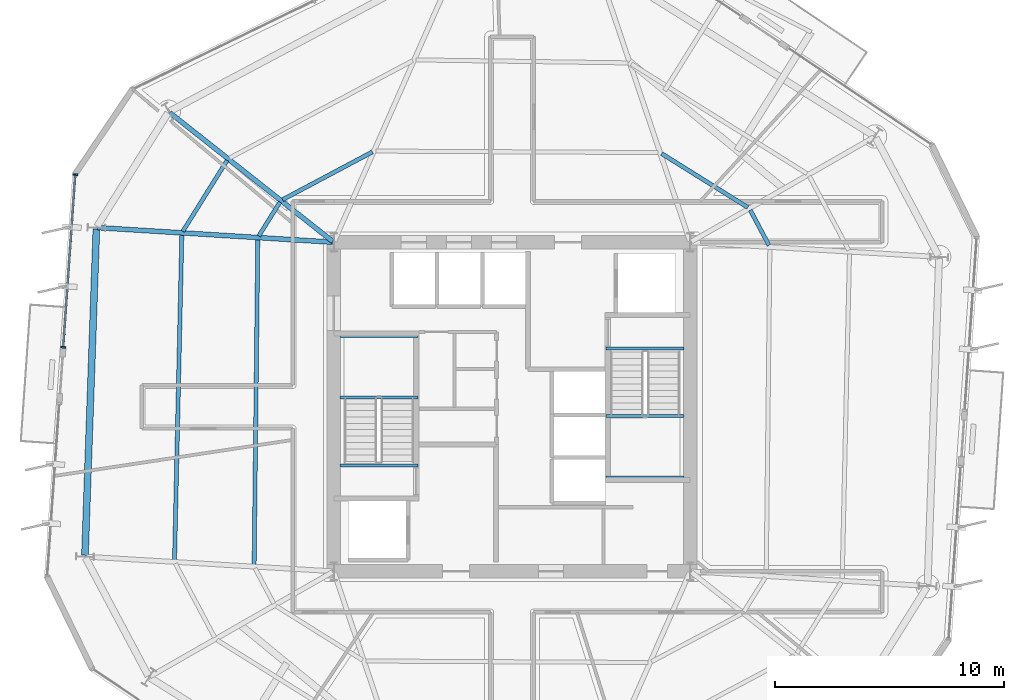
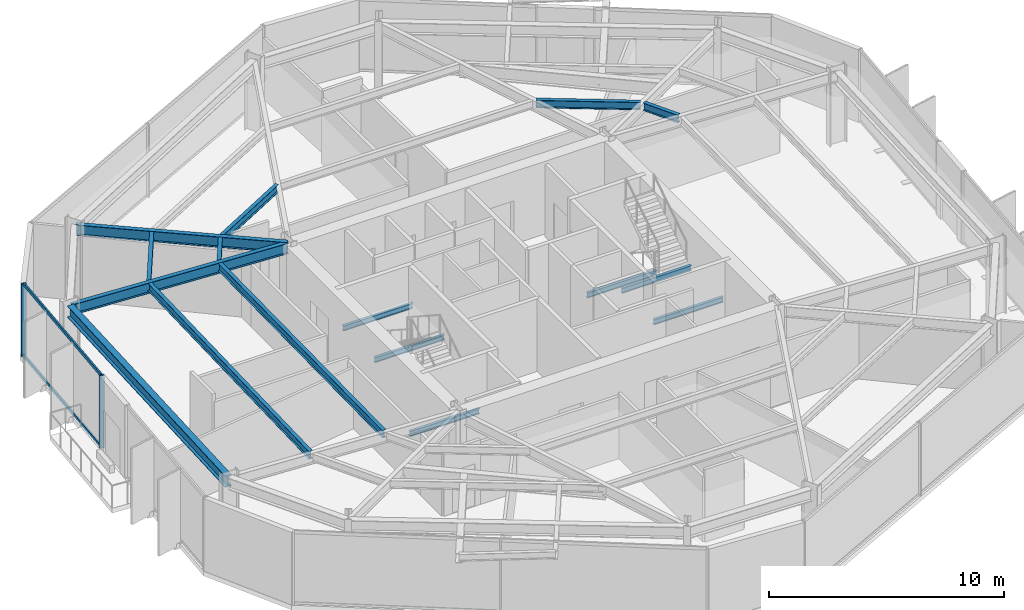
# One storey, part 3 of 14: 16 beams, 4 members, 1 element without a shape of its own.
"""IFC4 building model written with IfcOpenShell, lengths in metres."""

from ifc_helpers import new_model, si_unit, direction, frame, origin, origin_2d, place, context, subcontext, project, spatial, rectangle, i_section, extrude, material, layer, layer_set, material_profile, profile_set, type_object, element, aggregate, save


model = new_model("IFC4")

# Units and contexts
model_context = context("Model", 3, precision=1e-05, world=origin(), true_north=direction((0.0, 1.0)))
body_context = subcontext(model_context, "Body", "Model", "MODEL_VIEW")
ifc_project = project(units=[si_unit("LENGTHUNIT", "METRE"), si_unit("AREAUNIT", "SQUARE_METRE"), si_unit("VOLUMEUNIT", "CUBIC_METRE"), si_unit("PLANEANGLEUNIT", "RADIAN"), si_unit("MASSUNIT", "GRAM", prefix="KILO")], contexts=[model_context])

# Site, building, storey
site_placement = place(None, origin())
site = spatial("IfcSite", under=ifc_project, at=site_placement, CompositionType="ELEMENT")
building_placement = place(site_placement, origin())
building = spatial("IfcBuilding", under=site, at=building_placement, Name="Kranzbogen Civic Tower", CompositionType="ELEMENT")
storey_placement = place(building_placement, frame((0.0, 0.0, 126.39990234375)))
storey = spatial("IfcBuildingStorey", under=building, at=storey_placement, Name="L30", CompositionType="ELEMENT", Elevation=126.39990234375)

# Curtain wall, members
ifc_material_1 = material(Name="Pale Anodised Aluminium", Category="aluminium")
ifc_layer = layer(ifc_material_1, 0.219970703125, Name="Pale Anodised Aluminium")
ifc_layer_set = layer_set([ifc_layer], Name="Pale Anodised Aluminium")
curtain_wall_type = type_object("IfcCurtainWallType", Name="Zone 2 Stick Curtain Wall System CW-03", PredefinedType="USERDEFINED", material=ifc_layer_set)
curtain_wall_placement = place(storey_placement, origin())
curtain_wall = element("IfcCurtainWall", 1, at=curtain_wall_placement, inside=storey, type_object=curtain_wall_type, Name="L30 curtain wall CW-L30-F3-S1", ObjectType="STICK CURTAIN WALL", PredefinedType="USERDEFINED")
ifc_material_profile_1 = material_profile(ifc_material_1, rectangle(XDim=0.074951171875, YDim=0.219970703125, at=origin_2d()), Name="ALU-M 75x220")
ifc_profile_set_1 = profile_set([ifc_material_profile_1], Name="Pale Anodised Aluminium")
member_type_1 = type_object("IfcMemberType", Name="Curtain Wall Mullion ALU-M 75x220", PredefinedType="MULLION", material=ifc_profile_set_1)
member_1_placement = place(storey_placement, frame((5.890869140625, 35.162109375, 0.0), z_axis=(0.0, 0.0, 1.0), x_axis=(-0.069813486474, -0.997560061904, 0.0)))
member_1 = element("IfcMember", 2, at=member_1_placement, type_object=member_type_1, Name="CW-03 mullion 1", PredefinedType="MULLION", context=body_context, shape_type="SweptSolid", body=[
    extrude(rectangle(XDim=0.074951171875, YDim=0.219970703125, at=origin_2d()), origin(), (0.0, 0.0, 1.0), 3.760009765625),
])
member_2_placement = place(storey_placement, frame((5.362060546875, 27.60595703125, 0.0), z_axis=(0.0, 0.0, 1.0), x_axis=(-0.069813486474, -0.997560061904, 0.0)))
member_2 = element("IfcMember", 3, at=member_2_placement, type_object=member_type_1, Name="CW-03 mullion 2", PredefinedType="MULLION", context=body_context, shape_type="SweptSolid", body=[
    extrude(rectangle(XDim=0.074951171875, YDim=0.219970703125, at=origin_2d()), origin(), (0.0, 0.0, 1.0), 3.760009765625),
])
ifc_material_profile_2 = material_profile(ifc_material_1, rectangle(XDim=0.074951171875, YDim=0.1650390625, at=origin_2d()), Name="ALU-T 75x165")
ifc_profile_set_2 = profile_set([ifc_material_profile_2], Name="Pale Anodised Aluminium")
member_type_2 = type_object("IfcMemberType", Name="Curtain Wall Transom ALU-T 75x165", PredefinedType="USERDEFINED", material=ifc_profile_set_2)
member_3_placement = place(storey_placement, frame((5.888916015625, 35.132080078125, 0.030029296875), z_axis=(-0.069817812162, -0.997559759165, 0.0), x_axis=(0.997559759165, -0.069817812162, 0.0)))
member_3 = element("IfcMember", 4, at=member_3_placement, type_object=member_type_2, Name="CW-03 transom 1.1", ObjectType="TRANSOM", PredefinedType="USERDEFINED", context=body_context, shape_type="SweptSolid", body=[
    extrude(rectangle(XDim=0.074951171875, YDim=0.1650390625, at=origin_2d()), origin(), (0.0, 0.0, 1.0), 7.5146484375),
])
member_4_placement = place(storey_placement, frame((5.888916015625, 35.132080078125, 3.72998046875), z_axis=(-0.069817812162, -0.997559759165, 0.0), x_axis=(0.997559759165, -0.069817812162, 0.0)))
member_4 = element("IfcMember", 5, at=member_4_placement, type_object=member_type_2, Name="CW-03 transom 1.2", ObjectType="TRANSOM", PredefinedType="USERDEFINED", context=body_context, shape_type="SweptSolid", body=[
    extrude(rectangle(XDim=0.074951171875, YDim=0.1650390625, at=origin_2d()), origin(), (0.0, 0.0, 1.0), 7.5146484375),
])
aggregate(curtain_wall, [member_1, member_2, member_3, member_4])

# Beams
ifc_material_2 = material(Name="Steel S355", Category="steel")
ifc_material_profile_3 = material_profile(ifc_material_2, i_section(OverallWidth=0.300048828125, OverallDepth=0.60009765625, WebThickness=0.015380859375, FlangeThickness=0.030029296875, at=origin_2d()), Name="HEB 600")
ifc_profile_set_3 = profile_set([ifc_material_profile_3], Name="Steel S355")
beam_type_1 = type_object("IfcBeamType", Name="Perimeter Tube Spandrel Beam HEB 600", PredefinedType="SPANDREL", material=ifc_profile_set_3)
beam_1_placement = place(storey_placement, frame((6.81103515625, 32.783935546875, 3.460205078125), z_axis=(-0.034924229103, -0.999389963038, 0.0), x_axis=(0.999389963038, -0.034924229103, 0.0)))
element("IfcBeam", 6, at=beam_1_placement, inside=storey, type_object=beam_type_1, Name="L30 perimeter spandrel beam 12", PredefinedType="SPANDREL", context=body_context, shape_type="SweptSolid", body=[
    extrude(i_section(OverallWidth=0.300048828125, OverallDepth=0.60009765625, WebThickness=0.015380859375, FlangeThickness=0.030029296875, at=origin_2d()), origin(), (0.0, 0.0, 1.0), 14.288818359375),
])
ifc_material_profile_4 = material_profile(ifc_material_2, i_section(OverallWidth=0.2099609375, OverallDepth=0.550048828125, WebThickness=0.010986328125, FlangeThickness=0.01708984375, at=origin_2d()), Name="IPE 550")
ifc_profile_set_4 = profile_set([ifc_material_profile_4], Name="Steel S355")
beam_type_2 = type_object("IfcBeamType", Name="Radial Tower Floor Girder IPE 550", PredefinedType="BEAM", material=ifc_profile_set_4)
beam_2_placement = place(storey_placement, frame((10.02392578125, 37.87109375, 3.485107421875), z_axis=(0.78457455683, -0.620034486763, 0.0), x_axis=(0.620034486763, 0.78457455683, 0.0)))
element("IfcBeam", 7, at=beam_2_placement, inside=storey, type_object=beam_type_2, Name="L30 radial floor girder 11", PredefinedType="BEAM", context=body_context, shape_type="SweptSolid", body=[
    extrude(i_section(OverallWidth=0.2099609375, OverallDepth=0.550048828125, WebThickness=0.010986328125, FlangeThickness=0.01708984375, at=origin_2d()), origin(), (0.0, 0.0, 1.0), 9.086669921875),
])
beam_3_placement = place(storey_placement, frame((6.873046875, 32.840087890625, 3.485107421875), z_axis=(0.998086872961, -0.061827130147, 0.0), x_axis=(0.061827130147, 0.998086872961, 0.0)))
element("IfcBeam", 8, at=beam_3_placement, inside=storey, type_object=beam_type_2, Name="L30 radial floor girder 12", PredefinedType="BEAM", context=body_context, shape_type="SweptSolid", body=[
    extrude(i_section(OverallWidth=0.2099609375, OverallDepth=0.550048828125, WebThickness=0.010986328125, FlangeThickness=0.01708984375, at=origin_2d()), origin(), (0.0, 0.0, 1.0), 10.28662109375),
])
ifc_material_profile_5 = material_profile(ifc_material_2, i_section(OverallWidth=0.179931640625, OverallDepth=0.39990234375, WebThickness=0.008544921875, FlangeThickness=0.013427734375, at=origin_2d()), Name="IPE 400")
ifc_profile_set_5 = profile_set([ifc_material_profile_5], Name="Steel S355")
beam_type_3 = type_object("IfcBeamType", Name="Secondary Composite Floor Joist IPE 400", PredefinedType="JOIST", material=ifc_profile_set_5)
beam_4_placement = place(storey_placement, frame((36.2470703125, 32.06494140625, 3.56005859375), z_axis=(-0.46943723363, 0.882965845139, 0.0), x_axis=(-0.882965845139, -0.46943723363, 0.0)))
element("IfcBeam", 9, at=beam_4_placement, inside=storey, type_object=beam_type_3, Name="L30 secondary floor joist 2.07", PredefinedType="JOIST", context=body_context, shape_type="SweptSolid", body=[
    extrude(i_section(OverallWidth=0.179931640625, OverallDepth=0.39990234375, WebThickness=0.008544921875, FlangeThickness=0.013427734375, at=origin_2d()), origin(), (0.0, 0.0, 1.0), 1.7509765625),
])
beam_5_placement = place(storey_placement, frame((35.320068359375, 33.72412109375, 3.56005859375), z_axis=(-0.848093834398, 0.529846060716, 0.0), x_axis=(-0.529846060716, -0.848093834398, 0.0)))
element("IfcBeam", 10, at=beam_5_placement, inside=storey, type_object=beam_type_3, Name="L30 secondary floor joist 2.08", PredefinedType="JOIST", context=body_context, shape_type="SweptSolid", body=[
    extrude(i_section(OverallWidth=0.179931640625, OverallDepth=0.39990234375, WebThickness=0.008544921875, FlangeThickness=0.013427734375, at=origin_2d()), origin(), (0.0, 0.0, 1.0), 4.4501953125),
])
beam_6_placement = place(storey_placement, frame((18.888916015625, 36.153076171875, 3.56005859375), z_axis=(-0.882991399158, -0.469389165844, 0.0), x_axis=(0.469389165844, -0.882991399158, 0.0)))
element("IfcBeam", 11, at=beam_6_placement, inside=storey, type_object=beam_type_3, Name="L30 secondary floor joist 2.10", PredefinedType="JOIST", context=body_context, shape_type="SweptSolid", body=[
    extrude(i_section(OverallWidth=0.179931640625, OverallDepth=0.39990234375, WebThickness=0.008544921875, FlangeThickness=0.013427734375, at=origin_2d()), origin(), (0.0, 0.0, 1.0), 4.45068359375),
])
beam_7_placement = place(storey_placement, frame((12.534912109375, 35.784912109375, 3.56005859375), z_axis=(-0.529867065107, -0.848080711557, 0.0), x_axis=(0.848080711557, -0.529867065107, 0.0)))
element("IfcBeam", 12, at=beam_7_placement, inside=storey, type_object=beam_type_3, Name="L30 secondary floor joist 1.11", PredefinedType="JOIST", context=body_context, shape_type="SweptSolid", body=[
    extrude(i_section(OverallWidth=0.179931640625, OverallDepth=0.39990234375, WebThickness=0.008544921875, FlangeThickness=0.013427734375, at=origin_2d()), origin(), (0.0, 0.0, 1.0), 3.6611328125),
])
beam_8_placement = place(storey_placement, frame((14.845947265625, 33.958984375, 3.56005859375), z_axis=(-0.529572623603, -0.84826460278, 0.0), x_axis=(0.84826460278, -0.529572623603, 0.0)))
element("IfcBeam", 13, at=beam_8_placement, inside=storey, type_object=beam_type_3, Name="L30 secondary floor joist 2.11", PredefinedType="JOIST", context=body_context, shape_type="SweptSolid", body=[
    extrude(i_section(OverallWidth=0.179931640625, OverallDepth=0.39990234375, WebThickness=0.008544921875, FlangeThickness=0.013427734375, at=origin_2d()), origin(), (0.0, 0.0, 1.0), 1.75048828125),
])
beam_9_placement = place(storey_placement, frame((10.551025390625, 32.531982421875, 3.56005859375), z_axis=(-0.022402523442, -0.999749031979, 0.0), x_axis=(0.999749031979, -0.022402523442, 0.0)))
element("IfcBeam", 14, at=beam_9_placement, inside=storey, type_object=beam_type_3, Name="L30 secondary floor joist 1.12", PredefinedType="JOIST", context=body_context, shape_type="SweptSolid", body=[
    extrude(i_section(OverallWidth=0.179931640625, OverallDepth=0.39990234375, WebThickness=0.008544921875, FlangeThickness=0.013427734375, at=origin_2d()), origin(), (0.0, 0.0, 1.0), 14.24365234375),
])
beam_10_placement = place(storey_placement, frame((13.875, 32.325927734375, 3.56005859375), z_axis=(-0.011160516663, -0.999937719494, 0.0), x_axis=(0.999937719494, -0.011160516663, 0.0)))
element("IfcBeam", 15, at=beam_10_placement, inside=storey, type_object=beam_type_3, Name="L30 secondary floor joist 2.12", PredefinedType="JOIST", context=body_context, shape_type="SweptSolid", body=[
    extrude(i_section(OverallWidth=0.179931640625, OverallDepth=0.39990234375, WebThickness=0.008544921875, FlangeThickness=0.013427734375, at=origin_2d()), origin(), (0.0, 0.0, 1.0), 14.240966796875),
])
ifc_material_profile_6 = material_profile(ifc_material_2, i_section(OverallWidth=0.135009765625, OverallDepth=0.27001953125, WebThickness=0.006591796875, FlangeThickness=0.01025390625, at=origin_2d()), Name="IPE 270")
ifc_profile_set_6 = profile_set([ifc_material_profile_6], Name="Steel S355")
beam_type_4 = type_object("IfcBeamType", Name="Stair Landing Support Beam IPE 270", PredefinedType="JOIST", material=ifc_profile_set_6)
for number, where, z_axis, x_axis, name in (
    (16, (20.8798828125, 22.43994140625, -0.375), (-1.0, 0.0, 0.0), (0.0, -1.0, 0.0), "L30 ST-T1 stair floor header beam"),
    (17, (20.8798828125, 25.39990234375, 1.6650390625), (-1.0, 0.0, 0.0), (0.0, -1.0, 0.0), "L30 ST-T1 landing support beam 1.1"),
    (18, (20.8798828125, 28.10009765625, 1.6650390625), (-1.0, 0.0, 0.0), (0.0, -1.0, 0.0), "L30 ST-T1 landing support beam 1.2"),
    (19, (29.1201171875, 27.56005859375, -0.375), (1.0, 0.0, 0.0), (0.0, 1.0, 0.0), "L30 ST-T2 stair floor header beam"),
    (20, (29.1201171875, 24.60009765625, 1.6650390625), (1.0, 0.0, 0.0), (0.0, 1.0, 0.0), "L30 ST-T2 landing support beam 1.1"),
    (21, (29.1201171875, 21.89990234375, 1.6650390625), (1.0, 0.0, 0.0), (0.0, 1.0, 0.0), "L30 ST-T2 landing support beam 1.2"),
):
    element("IfcBeam", number, at=place(storey_placement, frame(where, z_axis=z_axis, x_axis=x_axis)), inside=storey, type_object=beam_type_4, Name=name, PredefinedType="JOIST", context=body_context, shape_type="SweptSolid", body=[
        extrude(i_section(OverallWidth=0.135009765625, OverallDepth=0.27001953125, WebThickness=0.006591796875, FlangeThickness=0.01025390625, at=origin_2d()), origin(), (0.0, 0.0, 1.0), 3.409912109375),
    ])

save(model, "model.ifc")
